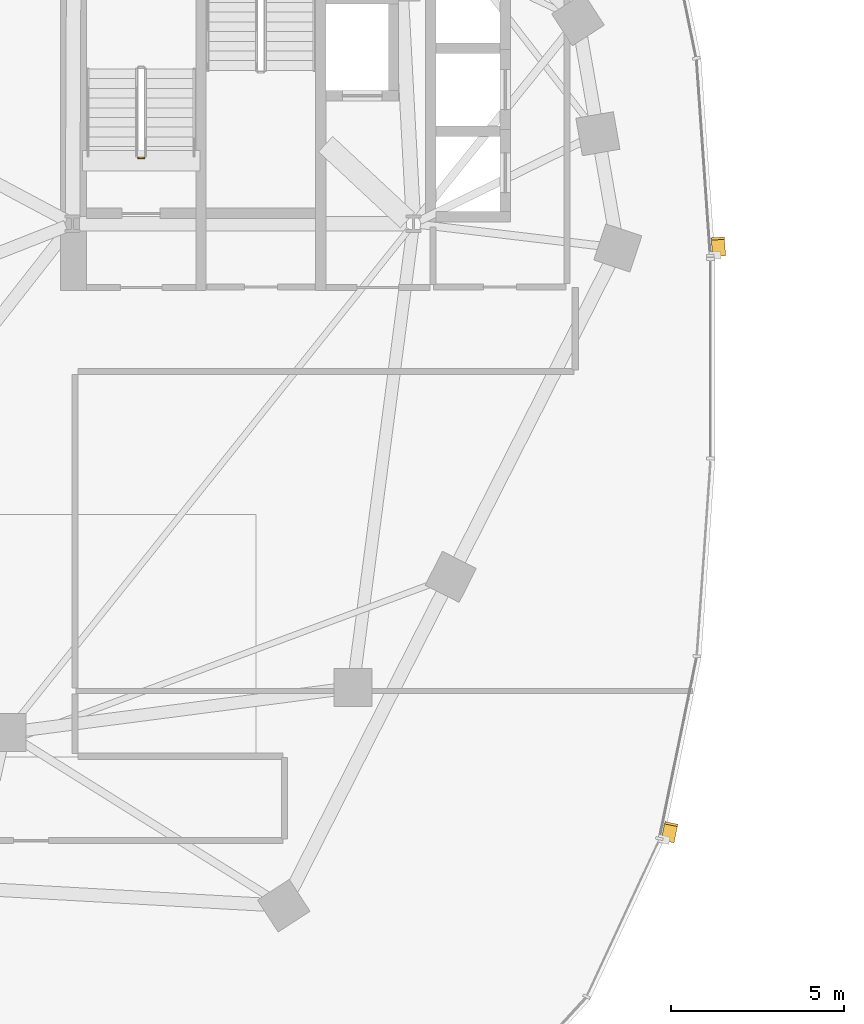
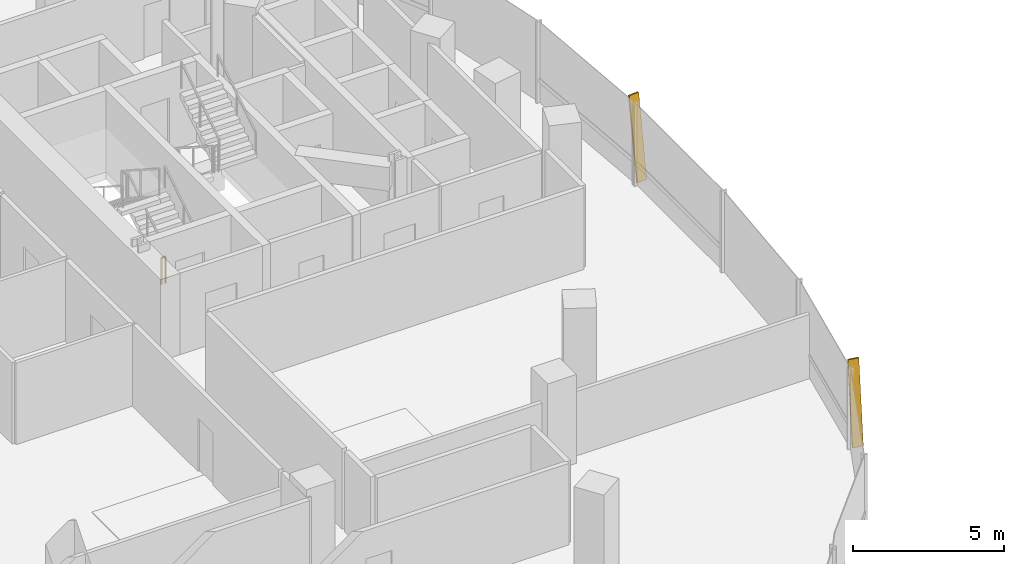
# One storey, part 18 of 21: 2 shading devices, 1 railing.
"""IFC4 building model written with IfcOpenShell, lengths in metres."""

from ifc_helpers import new_model, si_unit, direction, frame, origin, origin_2d, place, context, subcontext, project, spatial, rectangle, extrude, material, material_profile, profile_set, type_object, element, save


model = new_model("IFC4")

# Units and contexts
model_context = context("Model", 3, precision=1e-05, world=origin(), true_north=direction((0.0, 1.0)))
body_context = subcontext(model_context, "Body", "Model", "MODEL_VIEW")
ifc_project = project(units=[si_unit("LENGTHUNIT", "METRE"), si_unit("AREAUNIT", "SQUARE_METRE"), si_unit("VOLUMEUNIT", "CUBIC_METRE"), si_unit("PLANEANGLEUNIT", "RADIAN"), si_unit("MASSUNIT", "GRAM", prefix="KILO"), si_unit("THERMODYNAMICTEMPERATUREUNIT", "KELVIN"), si_unit("POWERUNIT", "WATT")], contexts=[model_context])

# Site, building, storey
site_placement = place(None, origin())
site = spatial("IfcSite", under=ifc_project, at=site_placement, CompositionType="ELEMENT")
building_placement = place(site_placement, origin())
building = spatial("IfcBuilding", under=site, at=building_placement, Name="Cundina Bronze Exchange", CompositionType="ELEMENT")
storey_placement = place(building_placement, frame((0.0, 0.0, 103.39990234375)))
storey = spatial("IfcBuildingStorey", under=building, at=storey_placement, Name="L26", CompositionType="ELEMENT", Elevation=103.39990234375)

# Railing
ifc_material_1 = material(Name="Steel ASTM A36 Painted", Category="steel")
railing_type = type_object("IfcRailingType", Name="RLG-STG-1100", PredefinedType="GUARDRAIL", material=ifc_material_1)
railing_placement = place(storey_placement, frame((-29.239990234375, 5.800048828125, 0.0)))
element("IfcRailing", 1, at=railing_placement, inside=storey, type_object=railing_type, Name="L26 ST-W1 stair guard 4", PredefinedType="GUARDRAIL", context=body_context, shape_type="SweptSolid", body=[
    extrude(rectangle(XDim=0.048095703125, YDim=0.048095703125, at=origin_2d()), frame((0.0, 0.0, 1.076171875), z_axis=(-1.0, 0.0, 0.0), x_axis=(0.0, -1.0, 0.0)), (0.0, 0.0, 1.0), 0.159912109375),
    extrude(rectangle(XDim=0.0419921875, YDim=0.0419921875, at=origin_2d()), origin(), (0.0, 0.0, 1.0), 1.052001953125),
    extrude(rectangle(XDim=0.0419921875, YDim=0.0419921875, at=origin_2d()), frame((-0.159912109375, 0.0, 0.0)), (0.0, 0.0, 1.0), 1.052001953125),
])

# Shading devices
ifc_material_2 = material(Name="Anodised Bronze Aluminium 6063-T6", Category="aluminium")
ifc_material_profile = material_profile(ifc_material_2, rectangle(XDim=0.070068359375, YDim=0.3798828125, at=origin_2d()), Name="FIN70X380", Category="aluminium")
ifc_profile_set = profile_set([ifc_material_profile], Name="Anodised Bronze Aluminium 6063-T6")
shading_device_type = type_object("IfcShadingDeviceType", Name="SHD-FIN-BRZ380", PredefinedType="USERDEFINED", material=ifc_profile_set)
for number, where, z_axis, x_axis, name in (
    (2, (-12.6259765625, 2.993896484375, 0.02001953125), (-0.010224545828, 0.145292278041, 0.989335945271), (0.069450050635, -0.986895284755, 0.145651595925), "L26 Diagonal Bronze Solar Fin 1"),
    (3, (-14.10400390625, -13.911865234375, 0.02001953125), (0.029413888538, 0.142698109128, 0.989329102378), (-0.199728220342, -0.968958570224, 0.145698068578), "L26 Diagonal Bronze Solar Fin 5"),
):
    element("IfcShadingDevice", number, at=place(storey_placement, frame(where, z_axis=z_axis, x_axis=x_axis)), inside=storey, type_object=shading_device_type, Name=name, ObjectType="FIN", PredefinedType="USERDEFINED", context=body_context, shape_type="SweptSolid", body=[
        extrude(rectangle(XDim=0.070068359375, YDim=0.3798828125, at=origin_2d()), origin(), (0.0, 0.0, 1.0), 3.295166015625),
    ])

save(model, "model.ifc")
